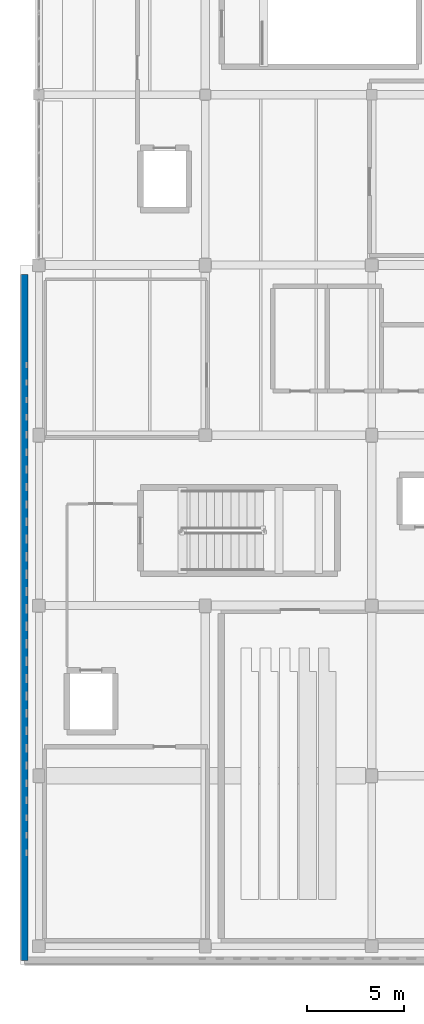
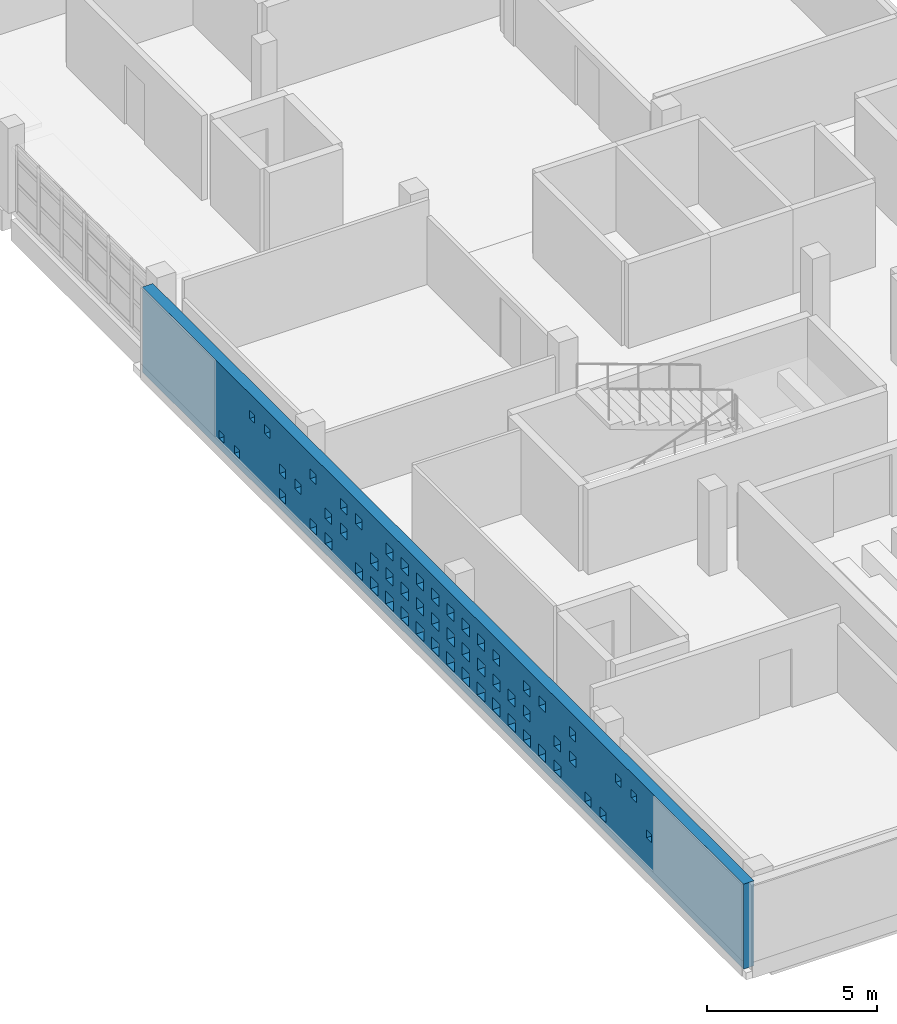
# One storey, part 23 of 34: 1 wall, 57 openings.
"""IFC4 building model written with IfcOpenShell, lengths in metres."""

from ifc_helpers import new_model, si_unit, direction, frame, frame_2d, origin, place, context, subcontext, project, spatial, rectangle, extrude, material, layer, layer_set, type_object, element, save


model = new_model("IFC4")

# Units and contexts
model_context = context("Model", 3, precision=1e-05, world=origin(), true_north=direction((0.0, 1.0)))
body_context = subcontext(model_context, "Body", "Model", "MODEL_VIEW")
ifc_project = project(units=[si_unit("LENGTHUNIT", "METRE"), si_unit("AREAUNIT", "SQUARE_METRE"), si_unit("VOLUMEUNIT", "CUBIC_METRE"), si_unit("PLANEANGLEUNIT", "RADIAN"), si_unit("MASSUNIT", "GRAM", prefix="KILO")], contexts=[model_context])

# Site, building, storey
site_placement = place(None, origin())
site = spatial("IfcSite", under=ifc_project, at=site_placement, CompositionType="ELEMENT")
building_placement = place(site_placement, origin())
building = spatial("IfcBuilding", under=site, at=building_placement, Name="Varnakota Cinema and Media Centre", CompositionType="ELEMENT")
storey_placement = place(building_placement, frame((0.0, 0.0, 19.050048828125)))
storey = spatial("IfcBuildingStorey", under=building, at=storey_placement, Name="L05", CompositionType="ELEMENT", Elevation=19.050048828125)

# Wall, openings
ifc_material = material(Name="Pale Tandur limestone cladding", Category="masonry")
ifc_layer = layer(ifc_material, 0.360107421875)
ifc_layer_set = layer_set([ifc_layer], Name="Pale Tandur limestone cladding")
wall_type = type_object("IfcWallType", Name="W-EXT-TANDUR-360", PredefinedType="SOLIDWALL", material=ifc_layer_set)
wall_placement = place(storey_placement, frame((-0.739990234375, -0.739990234375, 0.0), z_axis=(0.0, 0.0, 1.0), x_axis=(0.0, 1.0, 0.0)))
wall = element("IfcWall", 1, at=wall_placement, inside=storey, type_object=wall_type, Name="L05 V4 pale Tandur stone monolith wall V4-W", PredefinedType="SOLIDWALL", context=body_context, shape_type="SweptSolid", body=[
    extrude(rectangle(XDim=35.43994140625, YDim=0.360107421875, at=frame_2d((17.719970703125, 0.0))), origin(), (0.0, 0.0, 1.0), 3.06005859375),
])
opening_1_placement = place(wall_placement, frame((5.419921875, 0.0, 1.260009765625)))
element("IfcOpeningElement", 2, at=opening_1_placement, cuts=wall, Name="Opening WP14", PredefinedType="OPENING", context=body_context, shape_type="SweptSolid", body=[
    extrude(rectangle(XDim=0.300048828125, YDim=0.300048828125, at=frame_2d((0.14990234375, 0.14990234375))), frame((0.0, 0.18017578125, 0.0), z_axis=(0.0, -1.0, 0.0), x_axis=(1.0, 0.0, 0.0)), (0.0, 0.0, 1.0), 0.360107421875),
])
opening_2_placement = place(wall_placement, frame((6.320068359375, 0.0, 2.159912109375)))
element("IfcOpeningElement", 3, at=opening_2_placement, cuts=wall, Name="Opening WP14", PredefinedType="OPENING", context=body_context, shape_type="SweptSolid", body=[
    extrude(rectangle(XDim=0.300048828125, YDim=0.300048828125, at=frame_2d((0.14990234375, 0.14990234375))), frame((0.0, 0.18017578125, 0.0), z_axis=(0.0, -1.0, 0.0), x_axis=(1.0, 0.0, 0.0)), (0.0, 0.0, 1.0), 0.360107421875),
])
opening_3_placement = place(wall_placement, frame((7.2099609375, 0.0, 2.159912109375)))
element("IfcOpeningElement", 4, at=opening_3_placement, cuts=wall, Name="Opening WP13", PredefinedType="OPENING", context=body_context, shape_type="SweptSolid", body=[
    extrude(rectangle(XDim=0.320068359375, YDim=0.320068359375, at=frame_2d((0.16015625, 0.16015625))), frame((0.0, 0.18017578125, 0.0), z_axis=(0.0, -1.0, 0.0), x_axis=(1.0, 0.0, 0.0)), (0.0, 0.0, 1.0), 0.360107421875),
])
opening_4_placement = place(wall_placement, frame((8.090087890625, 0.0, 0.360107421875)))
element("IfcOpeningElement", 5, at=opening_4_placement, cuts=wall, Name="Opening WP11", PredefinedType="OPENING", context=body_context, shape_type="SweptSolid", body=[
    extrude(rectangle(XDim=0.360107421875, YDim=0.360107421875, at=frame_2d((0.18017578125, 0.18017578125))), frame((0.0, 0.18017578125, 0.0), z_axis=(0.0, -1.0, 0.0), x_axis=(1.0, 0.0, 0.0)), (0.0, 0.0, 1.0), 0.360107421875),
])
opening_5_placement = place(wall_placement, frame((8.989990234375, 0.0, 0.360107421875)))
element("IfcOpeningElement", 6, at=opening_5_placement, cuts=wall, Name="Opening WP11", PredefinedType="OPENING", context=body_context, shape_type="SweptSolid", body=[
    extrude(rectangle(XDim=0.360107421875, YDim=0.360107421875, at=frame_2d((0.18017578125, 0.18017578125))), frame((0.0, 0.18017578125, 0.0), z_axis=(0.0, -1.0, 0.0), x_axis=(1.0, 0.0, 0.0)), (0.0, 0.0, 1.0), 0.360107421875),
])
opening_6_placement = place(wall_placement, frame((9.8798828125, 0.0, 1.260009765625)))
element("IfcOpeningElement", 7, at=opening_6_placement, cuts=wall, Name="Opening WP10", PredefinedType="OPENING", context=body_context, shape_type="SweptSolid", body=[
    extrude(rectangle(XDim=0.3798828125, YDim=0.3798828125, at=frame_2d((0.18994140625, 0.18994140625))), frame((0.0, 0.18017578125, 0.0), z_axis=(0.0, -1.0, 0.0), x_axis=(1.0, 0.0, 0.0)), (0.0, 0.0, 1.0), 0.360107421875),
])
opening_7_placement = place(wall_placement, frame((9.889892578125, 0.0, 2.159912109375)))
element("IfcOpeningElement", 8, at=opening_7_placement, cuts=wall, Name="Opening WP11", PredefinedType="OPENING", context=body_context, shape_type="SweptSolid", body=[
    extrude(rectangle(XDim=0.360107421875, YDim=0.360107421875, at=frame_2d((0.18017578125, 0.18017578125))), frame((0.0, 0.18017578125, 0.0), z_axis=(0.0, -1.0, 0.0), x_axis=(1.0, 0.0, 0.0)), (0.0, 0.0, 1.0), 0.360107421875),
])
opening_8_placement = place(wall_placement, frame((10.77001953125, 0.0, 0.360107421875)))
element("IfcOpeningElement", 9, at=opening_8_placement, cuts=wall, Name="Opening WP09", PredefinedType="OPENING", context=body_context, shape_type="SweptSolid", body=[
    extrude(rectangle(XDim=0.39990234375, YDim=0.39990234375, at=frame_2d((0.199951171875, 0.199951171875))), frame((0.0, 0.18017578125, 0.0), z_axis=(0.0, -1.0, 0.0), x_axis=(1.0, 0.0, 0.0)), (0.0, 0.0, 1.0), 0.360107421875),
])
opening_9_placement = place(wall_placement, frame((10.780029296875, 0.0, 1.260009765625)))
element("IfcOpeningElement", 10, at=opening_9_placement, cuts=wall, Name="Opening WP10", PredefinedType="OPENING", context=body_context, shape_type="SweptSolid", body=[
    extrude(rectangle(XDim=0.3798828125, YDim=0.3798828125, at=frame_2d((0.18994140625, 0.18994140625))), frame((0.0, 0.18017578125, 0.0), z_axis=(0.0, -1.0, 0.0), x_axis=(1.0, 0.0, 0.0)), (0.0, 0.0, 1.0), 0.360107421875),
])
opening_10_placement = place(wall_placement, frame((11.659912109375, 0.0, 0.360107421875)))
element("IfcOpeningElement", 11, at=opening_10_placement, cuts=wall, Name="Opening WP08", PredefinedType="OPENING", context=body_context, shape_type="SweptSolid", body=[
    extrude(rectangle(XDim=0.419921875, YDim=0.419921875, at=frame_2d((0.2099609375, 0.2099609375))), frame((0.0, 0.18017578125, 0.0), z_axis=(0.0, -1.0, 0.0), x_axis=(1.0, 0.0, 0.0)), (0.0, 0.0, 1.0), 0.360107421875),
])
opening_11_placement = place(wall_placement, frame((11.679931640625, 0.0, 2.159912109375)))
element("IfcOpeningElement", 12, at=opening_11_placement, cuts=wall, Name="Opening WP10", PredefinedType="OPENING", context=body_context, shape_type="SweptSolid", body=[
    extrude(rectangle(XDim=0.3798828125, YDim=0.3798828125, at=frame_2d((0.18994140625, 0.18994140625))), frame((0.0, 0.18017578125, 0.0), z_axis=(0.0, -1.0, 0.0), x_axis=(1.0, 0.0, 0.0)), (0.0, 0.0, 1.0), 0.360107421875),
])
opening_12_placement = place(wall_placement, frame((12.56005859375, 0.0, 0.360107421875)))
element("IfcOpeningElement", 13, at=opening_12_placement, cuts=wall, Name="Opening WP08", PredefinedType="OPENING", context=body_context, shape_type="SweptSolid", body=[
    extrude(rectangle(XDim=0.419921875, YDim=0.419921875, at=frame_2d((0.2099609375, 0.2099609375))), frame((0.0, 0.18017578125, 0.0), z_axis=(0.0, -1.0, 0.0), x_axis=(1.0, 0.0, 0.0)), (0.0, 0.0, 1.0), 0.360107421875),
])
opening_13_placement = place(wall_placement, frame((12.570068359375, 0.0, 1.260009765625)))
element("IfcOpeningElement", 14, at=opening_13_placement, cuts=wall, Name="Opening WP09", PredefinedType="OPENING", context=body_context, shape_type="SweptSolid", body=[
    extrude(rectangle(XDim=0.39990234375, YDim=0.39990234375, at=frame_2d((0.199951171875, 0.199951171875))), frame((0.0, 0.18017578125, 0.0), z_axis=(0.0, -1.0, 0.0), x_axis=(1.0, 0.0, 0.0)), (0.0, 0.0, 1.0), 0.360107421875),
])
opening_14_placement = place(wall_placement, frame((12.580078125, 0.0, 2.159912109375)))
element("IfcOpeningElement", 15, at=opening_14_placement, cuts=wall, Name="Opening WP10", PredefinedType="OPENING", context=body_context, shape_type="SweptSolid", body=[
    extrude(rectangle(XDim=0.3798828125, YDim=0.3798828125, at=frame_2d((0.18994140625, 0.18994140625))), frame((0.0, 0.18017578125, 0.0), z_axis=(0.0, -1.0, 0.0), x_axis=(1.0, 0.0, 0.0)), (0.0, 0.0, 1.0), 0.360107421875),
])
opening_15_placement = place(wall_placement, frame((13.449951171875, 0.0, 0.360107421875)))
element("IfcOpeningElement", 16, at=opening_15_placement, cuts=wall, Name="Opening WP07", PredefinedType="OPENING", context=body_context, shape_type="SweptSolid", body=[
    extrude(rectangle(XDim=0.43994140625, YDim=0.43994140625, at=frame_2d((0.219970703125, 0.219970703125))), frame((0.0, 0.18017578125, 0.0), z_axis=(0.0, -1.0, 0.0), x_axis=(1.0, 0.0, 0.0)), (0.0, 0.0, 1.0), 0.360107421875),
])
opening_16_placement = place(wall_placement, frame((13.4599609375, 0.0, 1.260009765625)))
element("IfcOpeningElement", 17, at=opening_16_placement, cuts=wall, Name="Opening WP08", PredefinedType="OPENING", context=body_context, shape_type="SweptSolid", body=[
    extrude(rectangle(XDim=0.419921875, YDim=0.419921875, at=frame_2d((0.2099609375, 0.2099609375))), frame((0.0, 0.18017578125, 0.0), z_axis=(0.0, -1.0, 0.0), x_axis=(1.0, 0.0, 0.0)), (0.0, 0.0, 1.0), 0.360107421875),
])
opening_17_placement = place(wall_placement, frame((14.340087890625, 0.0, 0.360107421875)))
element("IfcOpeningElement", 18, at=opening_17_placement, cuts=wall, Name="Opening WP06", PredefinedType="OPENING", context=body_context, shape_type="SweptSolid", body=[
    extrude(rectangle(XDim=0.4599609375, YDim=0.4599609375, at=frame_2d((0.22998046875, 0.22998046875))), frame((0.0, 0.18017578125, 0.0), z_axis=(0.0, -1.0, 0.0), x_axis=(1.0, 0.0, 0.0)), (0.0, 0.0, 1.0), 0.360107421875),
])
opening_18_placement = place(wall_placement, frame((14.360107421875, 0.0, 1.260009765625)))
element("IfcOpeningElement", 19, at=opening_18_placement, cuts=wall, Name="Opening WP08", PredefinedType="OPENING", context=body_context, shape_type="SweptSolid", body=[
    extrude(rectangle(XDim=0.419921875, YDim=0.419921875, at=frame_2d((0.2099609375, 0.2099609375))), frame((0.0, 0.18017578125, 0.0), z_axis=(0.0, -1.0, 0.0), x_axis=(1.0, 0.0, 0.0)), (0.0, 0.0, 1.0), 0.360107421875),
])
opening_19_placement = place(wall_placement, frame((14.3701171875, 0.0, 2.159912109375)))
element("IfcOpeningElement", 20, at=opening_19_placement, cuts=wall, Name="Opening WP09", PredefinedType="OPENING", context=body_context, shape_type="SweptSolid", body=[
    extrude(rectangle(XDim=0.39990234375, YDim=0.39990234375, at=frame_2d((0.199951171875, 0.199951171875))), frame((0.0, 0.18017578125, 0.0), z_axis=(0.0, -1.0, 0.0), x_axis=(1.0, 0.0, 0.0)), (0.0, 0.0, 1.0), 0.360107421875),
])
opening_20_placement = place(wall_placement, frame((15.239990234375, 0.0, 0.360107421875)))
element("IfcOpeningElement", 21, at=opening_20_placement, cuts=wall, Name="Opening WP06", PredefinedType="OPENING", context=body_context, shape_type="SweptSolid", body=[
    extrude(rectangle(XDim=0.4599609375, YDim=0.4599609375, at=frame_2d((0.22998046875, 0.22998046875))), frame((0.0, 0.18017578125, 0.0), z_axis=(0.0, -1.0, 0.0), x_axis=(1.0, 0.0, 0.0)), (0.0, 0.0, 1.0), 0.360107421875),
])
opening_21_placement = place(wall_placement, frame((15.25, 0.0, 1.260009765625)))
element("IfcOpeningElement", 22, at=opening_21_placement, cuts=wall, Name="Opening WP07", PredefinedType="OPENING", context=body_context, shape_type="SweptSolid", body=[
    extrude(rectangle(XDim=0.43994140625, YDim=0.43994140625, at=frame_2d((0.219970703125, 0.219970703125))), frame((0.0, 0.18017578125, 0.0), z_axis=(0.0, -1.0, 0.0), x_axis=(1.0, 0.0, 0.0)), (0.0, 0.0, 1.0), 0.360107421875),
])
opening_22_placement = place(wall_placement, frame((15.260009765625, 0.0, 2.159912109375)))
element("IfcOpeningElement", 23, at=opening_22_placement, cuts=wall, Name="Opening WP08", PredefinedType="OPENING", context=body_context, shape_type="SweptSolid", body=[
    extrude(rectangle(XDim=0.419921875, YDim=0.419921875, at=frame_2d((0.2099609375, 0.2099609375))), frame((0.0, 0.18017578125, 0.0), z_axis=(0.0, -1.0, 0.0), x_axis=(1.0, 0.0, 0.0)), (0.0, 0.0, 1.0), 0.360107421875),
])
opening_23_placement = place(wall_placement, frame((16.139892578125, 0.0, 0.360107421875)))
element("IfcOpeningElement", 24, at=opening_23_placement, cuts=wall, Name="Opening WP06", PredefinedType="OPENING", context=body_context, shape_type="SweptSolid", body=[
    extrude(rectangle(XDim=0.4599609375, YDim=0.4599609375, at=frame_2d((0.22998046875, 0.22998046875))), frame((0.0, 0.18017578125, 0.0), z_axis=(0.0, -1.0, 0.0), x_axis=(1.0, 0.0, 0.0)), (0.0, 0.0, 1.0), 0.360107421875),
])
opening_24_placement = place(wall_placement, frame((16.14990234375, 0.0, 1.260009765625)))
element("IfcOpeningElement", 25, at=opening_24_placement, cuts=wall, Name="Opening WP07", PredefinedType="OPENING", context=body_context, shape_type="SweptSolid", body=[
    extrude(rectangle(XDim=0.43994140625, YDim=0.43994140625, at=frame_2d((0.219970703125, 0.219970703125))), frame((0.0, 0.18017578125, 0.0), z_axis=(0.0, -1.0, 0.0), x_axis=(1.0, 0.0, 0.0)), (0.0, 0.0, 1.0), 0.360107421875),
])
opening_25_placement = place(wall_placement, frame((16.159912109375, 0.0, 2.159912109375)))
element("IfcOpeningElement", 26, at=opening_25_placement, cuts=wall, Name="Opening WP08", PredefinedType="OPENING", context=body_context, shape_type="SweptSolid", body=[
    extrude(rectangle(XDim=0.419921875, YDim=0.419921875, at=frame_2d((0.2099609375, 0.2099609375))), frame((0.0, 0.18017578125, 0.0), z_axis=(0.0, -1.0, 0.0), x_axis=(1.0, 0.0, 0.0)), (0.0, 0.0, 1.0), 0.360107421875),
])
opening_26_placement = place(wall_placement, frame((17.0400390625, 0.0, 0.360107421875)))
element("IfcOpeningElement", 27, at=opening_26_placement, cuts=wall, Name="Opening WP06", PredefinedType="OPENING", context=body_context, shape_type="SweptSolid", body=[
    extrude(rectangle(XDim=0.4599609375, YDim=0.4599609375, at=frame_2d((0.22998046875, 0.22998046875))), frame((0.0, 0.18017578125, 0.0), z_axis=(0.0, -1.0, 0.0), x_axis=(1.0, 0.0, 0.0)), (0.0, 0.0, 1.0), 0.360107421875),
])
opening_27_placement = place(wall_placement, frame((17.050048828125, 0.0, 1.260009765625)))
element("IfcOpeningElement", 28, at=opening_27_placement, cuts=wall, Name="Opening WP07", PredefinedType="OPENING", context=body_context, shape_type="SweptSolid", body=[
    extrude(rectangle(XDim=0.43994140625, YDim=0.43994140625, at=frame_2d((0.219970703125, 0.219970703125))), frame((0.0, 0.18017578125, 0.0), z_axis=(0.0, -1.0, 0.0), x_axis=(1.0, 0.0, 0.0)), (0.0, 0.0, 1.0), 0.360107421875),
])
opening_28_placement = place(wall_placement, frame((17.06005859375, 0.0, 2.159912109375)))
element("IfcOpeningElement", 29, at=opening_28_placement, cuts=wall, Name="Opening WP08", PredefinedType="OPENING", context=body_context, shape_type="SweptSolid", body=[
    extrude(rectangle(XDim=0.419921875, YDim=0.419921875, at=frame_2d((0.2099609375, 0.2099609375))), frame((0.0, 0.18017578125, 0.0), z_axis=(0.0, -1.0, 0.0), x_axis=(1.0, 0.0, 0.0)), (0.0, 0.0, 1.0), 0.360107421875),
])
opening_29_placement = place(wall_placement, frame((17.93994140625, 0.0, 0.360107421875)))
element("IfcOpeningElement", 30, at=opening_29_placement, cuts=wall, Name="Opening WP06", PredefinedType="OPENING", context=body_context, shape_type="SweptSolid", body=[
    extrude(rectangle(XDim=0.4599609375, YDim=0.4599609375, at=frame_2d((0.22998046875, 0.22998046875))), frame((0.0, 0.18017578125, 0.0), z_axis=(0.0, -1.0, 0.0), x_axis=(1.0, 0.0, 0.0)), (0.0, 0.0, 1.0), 0.360107421875),
])
opening_30_placement = place(wall_placement, frame((17.949951171875, 0.0, 1.260009765625)))
element("IfcOpeningElement", 31, at=opening_30_placement, cuts=wall, Name="Opening WP07", PredefinedType="OPENING", context=body_context, shape_type="SweptSolid", body=[
    extrude(rectangle(XDim=0.43994140625, YDim=0.43994140625, at=frame_2d((0.219970703125, 0.219970703125))), frame((0.0, 0.18017578125, 0.0), z_axis=(0.0, -1.0, 0.0), x_axis=(1.0, 0.0, 0.0)), (0.0, 0.0, 1.0), 0.360107421875),
])
opening_31_placement = place(wall_placement, frame((17.9599609375, 0.0, 2.159912109375)))
element("IfcOpeningElement", 32, at=opening_31_placement, cuts=wall, Name="Opening WP08", PredefinedType="OPENING", context=body_context, shape_type="SweptSolid", body=[
    extrude(rectangle(XDim=0.419921875, YDim=0.419921875, at=frame_2d((0.2099609375, 0.2099609375))), frame((0.0, 0.18017578125, 0.0), z_axis=(0.0, -1.0, 0.0), x_axis=(1.0, 0.0, 0.0)), (0.0, 0.0, 1.0), 0.360107421875),
])
opening_32_placement = place(wall_placement, frame((18.840087890625, 0.0, 0.360107421875)))
element("IfcOpeningElement", 33, at=opening_32_placement, cuts=wall, Name="Opening WP06", PredefinedType="OPENING", context=body_context, shape_type="SweptSolid", body=[
    extrude(rectangle(XDim=0.4599609375, YDim=0.4599609375, at=frame_2d((0.22998046875, 0.22998046875))), frame((0.0, 0.18017578125, 0.0), z_axis=(0.0, -1.0, 0.0), x_axis=(1.0, 0.0, 0.0)), (0.0, 0.0, 1.0), 0.360107421875),
])
opening_33_placement = place(wall_placement, frame((18.85009765625, 0.0, 1.260009765625)))
element("IfcOpeningElement", 34, at=opening_33_placement, cuts=wall, Name="Opening WP07", PredefinedType="OPENING", context=body_context, shape_type="SweptSolid", body=[
    extrude(rectangle(XDim=0.43994140625, YDim=0.43994140625, at=frame_2d((0.219970703125, 0.219970703125))), frame((0.0, 0.18017578125, 0.0), z_axis=(0.0, -1.0, 0.0), x_axis=(1.0, 0.0, 0.0)), (0.0, 0.0, 1.0), 0.360107421875),
])
opening_34_placement = place(wall_placement, frame((18.860107421875, 0.0, 2.159912109375)))
element("IfcOpeningElement", 35, at=opening_34_placement, cuts=wall, Name="Opening WP08", PredefinedType="OPENING", context=body_context, shape_type="SweptSolid", body=[
    extrude(rectangle(XDim=0.419921875, YDim=0.419921875, at=frame_2d((0.2099609375, 0.2099609375))), frame((0.0, 0.18017578125, 0.0), z_axis=(0.0, -1.0, 0.0), x_axis=(1.0, 0.0, 0.0)), (0.0, 0.0, 1.0), 0.360107421875),
])
opening_35_placement = place(wall_placement, frame((19.739990234375, 0.0, 0.360107421875)))
element("IfcOpeningElement", 36, at=opening_35_placement, cuts=wall, Name="Opening WP06", PredefinedType="OPENING", context=body_context, shape_type="SweptSolid", body=[
    extrude(rectangle(XDim=0.4599609375, YDim=0.4599609375, at=frame_2d((0.22998046875, 0.22998046875))), frame((0.0, 0.18017578125, 0.0), z_axis=(0.0, -1.0, 0.0), x_axis=(1.0, 0.0, 0.0)), (0.0, 0.0, 1.0), 0.360107421875),
])
opening_36_placement = place(wall_placement, frame((19.75, 0.0, 1.260009765625)))
element("IfcOpeningElement", 37, at=opening_36_placement, cuts=wall, Name="Opening WP07", PredefinedType="OPENING", context=body_context, shape_type="SweptSolid", body=[
    extrude(rectangle(XDim=0.43994140625, YDim=0.43994140625, at=frame_2d((0.219970703125, 0.219970703125))), frame((0.0, 0.18017578125, 0.0), z_axis=(0.0, -1.0, 0.0), x_axis=(1.0, 0.0, 0.0)), (0.0, 0.0, 1.0), 0.360107421875),
])
opening_37_placement = place(wall_placement, frame((19.760009765625, 0.0, 2.159912109375)))
element("IfcOpeningElement", 38, at=opening_37_placement, cuts=wall, Name="Opening WP08", PredefinedType="OPENING", context=body_context, shape_type="SweptSolid", body=[
    extrude(rectangle(XDim=0.419921875, YDim=0.419921875, at=frame_2d((0.2099609375, 0.2099609375))), frame((0.0, 0.18017578125, 0.0), z_axis=(0.0, -1.0, 0.0), x_axis=(1.0, 0.0, 0.0)), (0.0, 0.0, 1.0), 0.360107421875),
])
opening_38_placement = place(wall_placement, frame((20.639892578125, 0.0, 0.360107421875)))
element("IfcOpeningElement", 39, at=opening_38_placement, cuts=wall, Name="Opening WP06", PredefinedType="OPENING", context=body_context, shape_type="SweptSolid", body=[
    extrude(rectangle(XDim=0.4599609375, YDim=0.4599609375, at=frame_2d((0.22998046875, 0.22998046875))), frame((0.0, 0.18017578125, 0.0), z_axis=(0.0, -1.0, 0.0), x_axis=(1.0, 0.0, 0.0)), (0.0, 0.0, 1.0), 0.360107421875),
])
opening_39_placement = place(wall_placement, frame((20.659912109375, 0.0, 1.260009765625)))
element("IfcOpeningElement", 40, at=opening_39_placement, cuts=wall, Name="Opening WP08", PredefinedType="OPENING", context=body_context, shape_type="SweptSolid", body=[
    extrude(rectangle(XDim=0.419921875, YDim=0.419921875, at=frame_2d((0.2099609375, 0.2099609375))), frame((0.0, 0.18017578125, 0.0), z_axis=(0.0, -1.0, 0.0), x_axis=(1.0, 0.0, 0.0)), (0.0, 0.0, 1.0), 0.360107421875),
])
opening_40_placement = place(wall_placement, frame((20.669921875, 0.0, 2.159912109375)))
element("IfcOpeningElement", 41, at=opening_40_placement, cuts=wall, Name="Opening WP09", PredefinedType="OPENING", context=body_context, shape_type="SweptSolid", body=[
    extrude(rectangle(XDim=0.39990234375, YDim=0.39990234375, at=frame_2d((0.199951171875, 0.199951171875))), frame((0.0, 0.18017578125, 0.0), z_axis=(0.0, -1.0, 0.0), x_axis=(1.0, 0.0, 0.0)), (0.0, 0.0, 1.0), 0.360107421875),
])
opening_41_placement = place(wall_placement, frame((21.550048828125, 0.0, 0.360107421875)))
element("IfcOpeningElement", 42, at=opening_41_placement, cuts=wall, Name="Opening WP07", PredefinedType="OPENING", context=body_context, shape_type="SweptSolid", body=[
    extrude(rectangle(XDim=0.43994140625, YDim=0.43994140625, at=frame_2d((0.219970703125, 0.219970703125))), frame((0.0, 0.18017578125, 0.0), z_axis=(0.0, -1.0, 0.0), x_axis=(1.0, 0.0, 0.0)), (0.0, 0.0, 1.0), 0.360107421875),
])
opening_42_placement = place(wall_placement, frame((21.56005859375, 0.0, 1.260009765625)))
element("IfcOpeningElement", 43, at=opening_42_placement, cuts=wall, Name="Opening WP08", PredefinedType="OPENING", context=body_context, shape_type="SweptSolid", body=[
    extrude(rectangle(XDim=0.419921875, YDim=0.419921875, at=frame_2d((0.2099609375, 0.2099609375))), frame((0.0, 0.18017578125, 0.0), z_axis=(0.0, -1.0, 0.0), x_axis=(1.0, 0.0, 0.0)), (0.0, 0.0, 1.0), 0.360107421875),
])
opening_43_placement = place(wall_placement, frame((22.4599609375, 0.0, 0.360107421875)))
element("IfcOpeningElement", 44, at=opening_43_placement, cuts=wall, Name="Opening WP08", PredefinedType="OPENING", context=body_context, shape_type="SweptSolid", body=[
    extrude(rectangle(XDim=0.419921875, YDim=0.419921875, at=frame_2d((0.2099609375, 0.2099609375))), frame((0.0, 0.18017578125, 0.0), z_axis=(0.0, -1.0, 0.0), x_axis=(1.0, 0.0, 0.0)), (0.0, 0.0, 1.0), 0.360107421875),
])
opening_44_placement = place(wall_placement, frame((22.47998046875, 0.0, 2.159912109375)))
element("IfcOpeningElement", 45, at=opening_44_placement, cuts=wall, Name="Opening WP10", PredefinedType="OPENING", context=body_context, shape_type="SweptSolid", body=[
    extrude(rectangle(XDim=0.3798828125, YDim=0.3798828125, at=frame_2d((0.18994140625, 0.18994140625))), frame((0.0, 0.18017578125, 0.0), z_axis=(0.0, -1.0, 0.0), x_axis=(1.0, 0.0, 0.0)), (0.0, 0.0, 1.0), 0.360107421875),
])
opening_45_placement = place(wall_placement, frame((23.3701171875, 0.0, 1.260009765625)))
element("IfcOpeningElement", 46, at=opening_45_placement, cuts=wall, Name="Opening WP09", PredefinedType="OPENING", context=body_context, shape_type="SweptSolid", body=[
    extrude(rectangle(XDim=0.39990234375, YDim=0.39990234375, at=frame_2d((0.199951171875, 0.199951171875))), frame((0.0, 0.18017578125, 0.0), z_axis=(0.0, -1.0, 0.0), x_axis=(1.0, 0.0, 0.0)), (0.0, 0.0, 1.0), 0.360107421875),
])
opening_46_placement = place(wall_placement, frame((23.3798828125, 0.0, 2.159912109375)))
element("IfcOpeningElement", 47, at=opening_46_placement, cuts=wall, Name="Opening WP10", PredefinedType="OPENING", context=body_context, shape_type="SweptSolid", body=[
    extrude(rectangle(XDim=0.3798828125, YDim=0.3798828125, at=frame_2d((0.18994140625, 0.18994140625))), frame((0.0, 0.18017578125, 0.0), z_axis=(0.0, -1.0, 0.0), x_axis=(1.0, 0.0, 0.0)), (0.0, 0.0, 1.0), 0.360107421875),
])
opening_47_placement = place(wall_placement, frame((24.27001953125, 0.0, 0.360107421875)))
element("IfcOpeningElement", 48, at=opening_47_placement, cuts=wall, Name="Opening WP09", PredefinedType="OPENING", context=body_context, shape_type="SweptSolid", body=[
    extrude(rectangle(XDim=0.39990234375, YDim=0.39990234375, at=frame_2d((0.199951171875, 0.199951171875))), frame((0.0, 0.18017578125, 0.0), z_axis=(0.0, -1.0, 0.0), x_axis=(1.0, 0.0, 0.0)), (0.0, 0.0, 1.0), 0.360107421875),
])
opening_48_placement = place(wall_placement, frame((24.280029296875, 0.0, 1.260009765625)))
element("IfcOpeningElement", 49, at=opening_48_placement, cuts=wall, Name="Opening WP10", PredefinedType="OPENING", context=body_context, shape_type="SweptSolid", body=[
    extrude(rectangle(XDim=0.3798828125, YDim=0.3798828125, at=frame_2d((0.18994140625, 0.18994140625))), frame((0.0, 0.18017578125, 0.0), z_axis=(0.0, -1.0, 0.0), x_axis=(1.0, 0.0, 0.0)), (0.0, 0.0, 1.0), 0.360107421875),
])
opening_49_placement = place(wall_placement, frame((25.179931640625, 0.0, 0.360107421875)))
element("IfcOpeningElement", 50, at=opening_49_placement, cuts=wall, Name="Opening WP10", PredefinedType="OPENING", context=body_context, shape_type="SweptSolid", body=[
    extrude(rectangle(XDim=0.3798828125, YDim=0.3798828125, at=frame_2d((0.18994140625, 0.18994140625))), frame((0.0, 0.18017578125, 0.0), z_axis=(0.0, -1.0, 0.0), x_axis=(1.0, 0.0, 0.0)), (0.0, 0.0, 1.0), 0.360107421875),
])
opening_50_placement = place(wall_placement, frame((25.18994140625, 0.0, 2.159912109375)))
element("IfcOpeningElement", 51, at=opening_50_placement, cuts=wall, Name="Opening WP11", PredefinedType="OPENING", context=body_context, shape_type="SweptSolid", body=[
    extrude(rectangle(XDim=0.360107421875, YDim=0.360107421875, at=frame_2d((0.18017578125, 0.18017578125))), frame((0.0, 0.18017578125, 0.0), z_axis=(0.0, -1.0, 0.0), x_axis=(1.0, 0.0, 0.0)), (0.0, 0.0, 1.0), 0.360107421875),
])
opening_51_placement = place(wall_placement, frame((26.090087890625, 0.0, 1.260009765625)))
element("IfcOpeningElement", 52, at=opening_51_placement, cuts=wall, Name="Opening WP11", PredefinedType="OPENING", context=body_context, shape_type="SweptSolid", body=[
    extrude(rectangle(XDim=0.360107421875, YDim=0.360107421875, at=frame_2d((0.18017578125, 0.18017578125))), frame((0.0, 0.18017578125, 0.0), z_axis=(0.0, -1.0, 0.0), x_axis=(1.0, 0.0, 0.0)), (0.0, 0.0, 1.0), 0.360107421875),
])
opening_52_placement = place(wall_placement, frame((26.989990234375, 0.0, 0.360107421875)))
element("IfcOpeningElement", 53, at=opening_52_placement, cuts=wall, Name="Opening WP11", PredefinedType="OPENING", context=body_context, shape_type="SweptSolid", body=[
    extrude(rectangle(XDim=0.360107421875, YDim=0.360107421875, at=frame_2d((0.18017578125, 0.18017578125))), frame((0.0, 0.18017578125, 0.0), z_axis=(0.0, -1.0, 0.0), x_axis=(1.0, 0.0, 0.0)), (0.0, 0.0, 1.0), 0.360107421875),
])
opening_53_placement = place(wall_placement, frame((27.0, 0.0, 1.260009765625)))
element("IfcOpeningElement", 54, at=opening_53_placement, cuts=wall, Name="Opening WP12", PredefinedType="OPENING", context=body_context, shape_type="SweptSolid", body=[
    extrude(rectangle(XDim=0.340087890625, YDim=0.340087890625, at=frame_2d((0.169921875, 0.169921875))), frame((0.0, 0.18017578125, 0.0), z_axis=(0.0, -1.0, 0.0), x_axis=(1.0, 0.0, 0.0)), (0.0, 0.0, 1.0), 0.360107421875),
])
opening_54_placement = place(wall_placement, frame((27.909912109375, 0.0, 2.159912109375)))
element("IfcOpeningElement", 55, at=opening_54_placement, cuts=wall, Name="Opening WP13", PredefinedType="OPENING", context=body_context, shape_type="SweptSolid", body=[
    extrude(rectangle(XDim=0.320068359375, YDim=0.320068359375, at=frame_2d((0.16015625, 0.16015625))), frame((0.0, 0.18017578125, 0.0), z_axis=(0.0, -1.0, 0.0), x_axis=(1.0, 0.0, 0.0)), (0.0, 0.0, 1.0), 0.360107421875),
])
opening_55_placement = place(wall_placement, frame((28.820068359375, 0.0, 2.159912109375)))
element("IfcOpeningElement", 56, at=opening_55_placement, cuts=wall, Name="Opening WP14", PredefinedType="OPENING", context=body_context, shape_type="SweptSolid", body=[
    extrude(rectangle(XDim=0.300048828125, YDim=0.300048828125, at=frame_2d((0.14990234375, 0.14990234375))), frame((0.0, 0.18017578125, 0.0), z_axis=(0.0, -1.0, 0.0), x_axis=(1.0, 0.0, 0.0)), (0.0, 0.0, 1.0), 0.360107421875),
])
opening_56_placement = place(wall_placement, frame((29.719970703125, 0.0, 0.360107421875)))
element("IfcOpeningElement", 57, at=opening_56_placement, cuts=wall, Name="Opening WP14", PredefinedType="OPENING", context=body_context, shape_type="SweptSolid", body=[
    extrude(rectangle(XDim=0.300048828125, YDim=0.300048828125, at=frame_2d((0.14990234375, 0.14990234375))), frame((0.0, 0.18017578125, 0.0), z_axis=(0.0, -1.0, 0.0), x_axis=(1.0, 0.0, 0.0)), (0.0, 0.0, 1.0), 0.360107421875),
])
opening_57_placement = place(wall_placement, frame((30.6298828125, 0.0, 0.360107421875)))
element("IfcOpeningElement", 58, at=opening_57_placement, cuts=wall, Name="Opening WP15", PredefinedType="OPENING", context=body_context, shape_type="SweptSolid", body=[
    extrude(rectangle(XDim=0.280029296875, YDim=0.280029296875, at=frame_2d((0.14013671875, 0.14013671875))), frame((0.0, 0.18017578125, 0.0), z_axis=(0.0, -1.0, 0.0), x_axis=(1.0, 0.0, 0.0)), (0.0, 0.0, 1.0), 0.360107421875),
])

save(model, "model.ifc")
